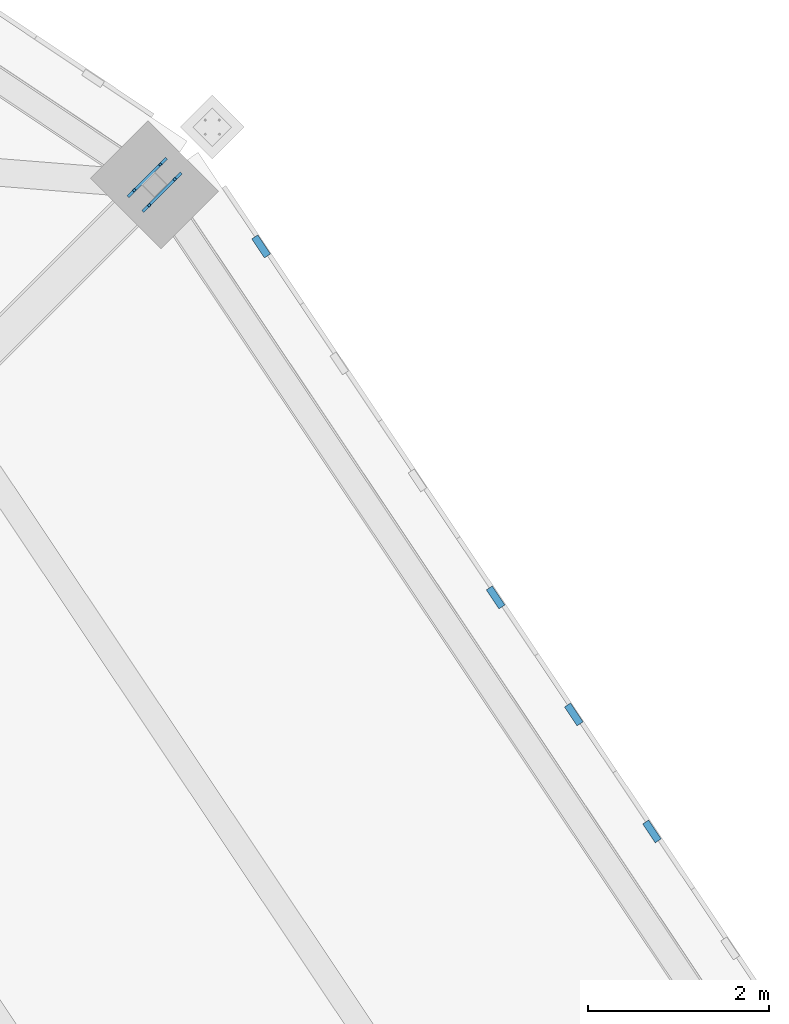
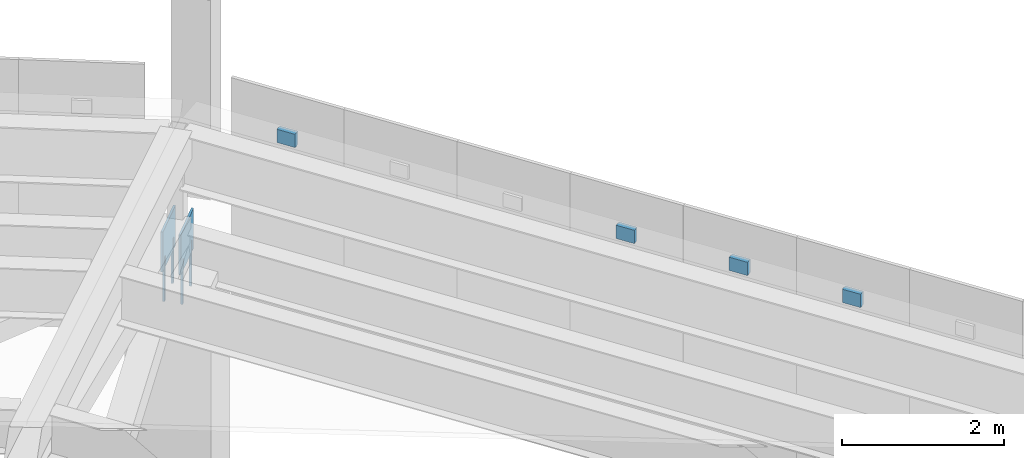
# One storey, part 261 of 278: 6 discrete accessories, 4 mechanical fasteners.
"""IFC4 building model written with IfcOpenShell, lengths in metres."""

from ifc_helpers import new_model, si_unit, direction, frame, origin, origin_2d, place, context, subcontext, project, spatial, rectangle, extrude, material, layer, layer_set, type_object, element, save


model = new_model("IFC4")

# Units and contexts
model_context = context("Model", 3, precision=1e-05, world=origin(), true_north=direction((0.0, 1.0)))
body_context = subcontext(model_context, "Body", "Model", "MODEL_VIEW")
ifc_project = project(units=[si_unit("LENGTHUNIT", "METRE"), si_unit("AREAUNIT", "SQUARE_METRE"), si_unit("VOLUMEUNIT", "CUBIC_METRE"), si_unit("PLANEANGLEUNIT", "RADIAN"), si_unit("MASSUNIT", "GRAM", prefix="KILO")], contexts=[model_context])

# Site, building, storey
site_placement = place(None, origin())
site = spatial("IfcSite", under=ifc_project, at=site_placement, CompositionType="ELEMENT")
building_placement = place(site_placement, origin())
building = spatial("IfcBuilding", under=site, at=building_placement, Name="Ogive Plaza Stadium", CompositionType="ELEMENT")
storey_placement = place(building_placement, frame((0.0, 0.0, 29.0)))
storey = spatial("IfcBuildingStorey", under=building, at=storey_placement, Name="Roof", CompositionType="ELEMENT", Elevation=29.0)

# Mechanical fasteners
ifc_material_1 = material(Name="Steel ASTM A992 Grade 50", Category="steel")
mechanical_fastener_type = type_object("IfcMechanicalFastenerType", Name="Anchor bolt M30 x 600", PredefinedType="ANCHORBOLT", material=ifc_material_1)
for number, where, z_axis, x_axis, name in (
    (1, (69.416259765625, 88.07958984375, 3.0), (0.0, 0.0, 1.0), (0.707106781187, 0.707106781187, 0.0), "ANCHOR BOLT 39 BF 1.1"),
    (2, (69.131103515625, 87.79443359375, 3.0), (0.0, 0.0, 1.0), (0.707106781187, 0.707106781187, 0.0), "ANCHOR BOLT 39 BF 1.2"),
    (3, (69.57958984375, 87.916259765625, 3.0), (0.0, 0.0, 1.0), (0.707106781187, 0.707106781187, 0.0), "ANCHOR BOLT 39 BF 2.1"),
    (4, (69.29443359375, 87.631103515625, 3.0), (0.0, 0.0, 1.0), (0.707106781187, 0.707106781187, 0.0), "ANCHOR BOLT 39 BF 2.2"),
):
    element("IfcMechanicalFastener", number, at=place(storey_placement, frame(where, z_axis=z_axis, x_axis=x_axis)), inside=storey, type_object=mechanical_fastener_type, Name=name, PredefinedType="ANCHORBOLT", context=body_context, shape_type="SweptSolid", body=[
        extrude(rectangle(XDim=0.030029296875, YDim=0.030029296875, at=origin_2d()), origin(), (0.0, 0.0, 1.0), 0.679931640625),
    ])

# Discrete accessories
ifc_material_2 = material(Name="Steel ASTM A572 Grade 50", Category="steel")
ifc_layer_1 = layer(ifc_material_2, 0.080078125)
ifc_layer_set_1 = layer_set([ifc_layer_1], Name="Steel ASTM A572 Grade 50")
discrete_accessory_type_1 = type_object("IfcDiscreteAccessoryType", Name="Tracery screen bracket 250x200", PredefinedType="BRACKET", material=ifc_layer_set_1)
for number, where, z_axis, x_axis, name in (
    (5, (70.5302734375, 87.176025390625, 5.25), (0.0, 0.0, 1.0), (0.55557023302, -0.831469612303, 0.0), "TRACERY SCREEN BRACKET B39 1"),
    (6, (73.1171875, 83.30419921875, 5.25), (0.0, 0.0, 1.0), (0.55557023302, -0.831469612303, 0.0), "TRACERY SCREEN BRACKET B39 4"),
    (7, (73.9794921875, 82.013671875, 5.25), (0.0, 0.0, 1.0), (0.55557023302, -0.831469612303, 0.0), "TRACERY SCREEN BRACKET B39 5"),
    (8, (74.841796875, 80.72314453125, 5.25), (0.0, 0.0, 1.0), (0.55557023302, -0.831469612303, 0.0), "TRACERY SCREEN BRACKET B39 6"),
):
    element("IfcDiscreteAccessory", number, at=place(storey_placement, frame(where, z_axis=z_axis, x_axis=x_axis)), inside=storey, type_object=discrete_accessory_type_1, Name=name, PredefinedType="BRACKET", context=body_context, shape_type="SweptSolid", body=[
        extrude(rectangle(XDim=0.25, YDim=0.080078125, at=origin_2d()), origin(), (0.0, 0.0, 1.0), 0.199951171875),
    ])
ifc_material_3 = material(Name="Steel ASTM A992 Grade 50", Category="steel")
ifc_layer_2 = layer(ifc_material_3, 0.030029296875)
ifc_layer_set_2 = layer_set([ifc_layer_2], Name="Steel ASTM A992 Grade 50")
discrete_accessory_type_2 = type_object("IfcDiscreteAccessoryType", Name="Truss back-stay foot cleat plate 30", PredefinedType="ANCHORPLATE", material=ifc_layer_set_2)
for number, where, z_axis, x_axis, name in (
    (9, (69.273681640625, 87.93701171875, 3.5), (0.0, 0.0, 1.0), (0.707106781187, 0.707106781187, 0.0), "TRUSS BACK-STAY FOOT CLEAT PLATE 39 1"),
    (10, (69.43701171875, 87.773681640625, 3.5), (0.0, 0.0, 1.0), (0.707106781187, 0.707106781187, 0.0), "TRUSS BACK-STAY FOOT CLEAT PLATE 39 2"),
):
    element("IfcDiscreteAccessory", number, at=place(storey_placement, frame(where, z_axis=z_axis, x_axis=x_axis)), inside=storey, type_object=discrete_accessory_type_2, Name=name, PredefinedType="ANCHORPLATE", context=body_context, shape_type="SweptSolid", body=[
        extrude(rectangle(XDim=0.603271484375, YDim=0.030029296875, at=origin_2d()), origin(), (0.0, 0.0, 1.0), 0.60009765625),
    ])

save(model, "model.ifc")
